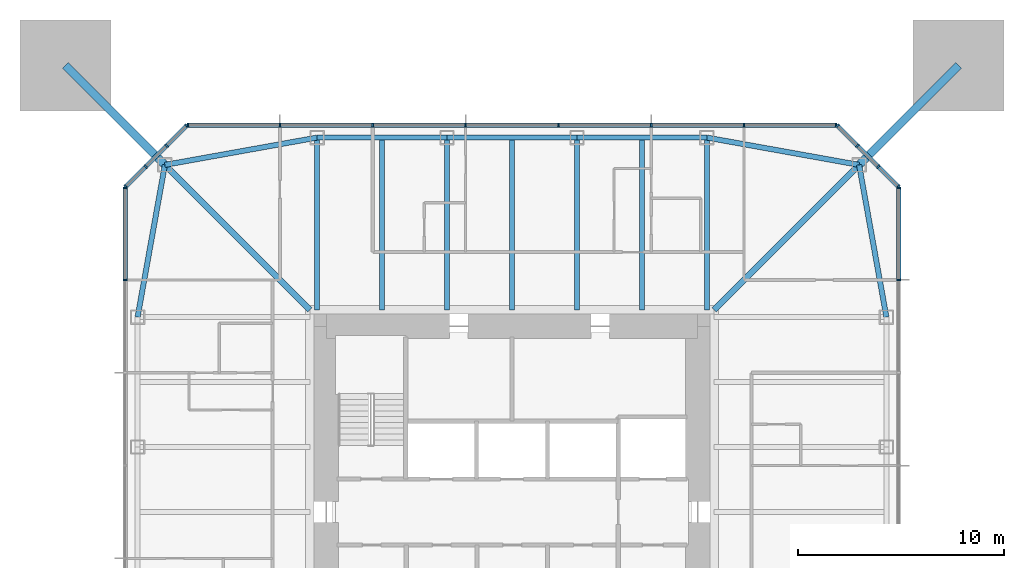
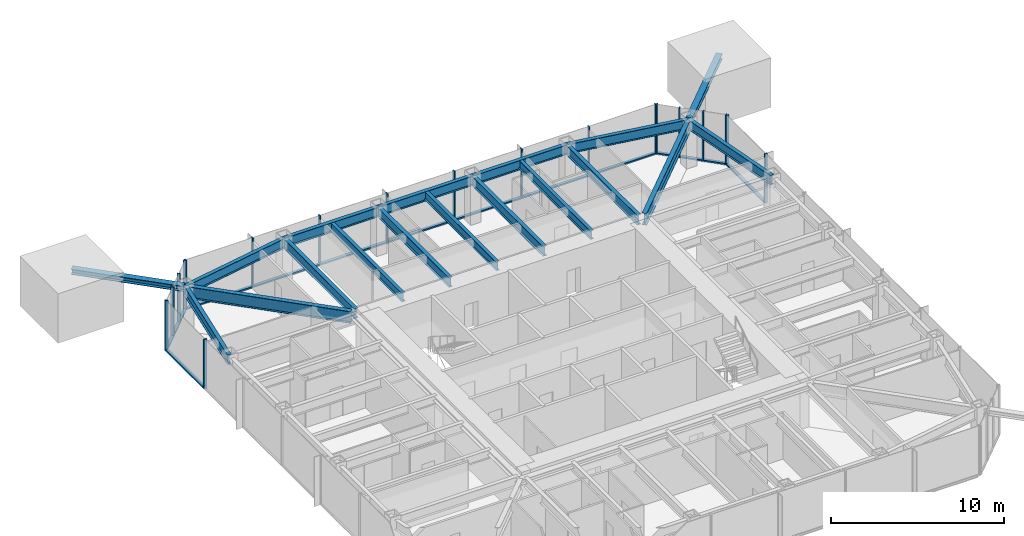
# One storey, part 4 of 11: 37 members, 16 beams, 5 elements without a shape of their own.
"""IFC4 building model written with IfcOpenShell, lengths in metres."""

from ifc_helpers import new_model, si_unit, direction, frame, origin, origin_2d, place, context, subcontext, project, spatial, rectangle, i_section, extrude, material, material_profile, profile_set, type_object, element, aggregate, save


model = new_model("IFC4")

# Units and contexts
model_context = context("Model", 3, precision=1e-05, world=origin(), true_north=direction((0.0, 1.0)))
body_context = subcontext(model_context, "Body", "Model", "MODEL_VIEW")
ifc_project = project(units=[si_unit("LENGTHUNIT", "METRE"), si_unit("AREAUNIT", "SQUARE_METRE"), si_unit("VOLUMEUNIT", "CUBIC_METRE"), si_unit("PLANEANGLEUNIT", "RADIAN"), si_unit("MASSUNIT", "GRAM", prefix="KILO")], contexts=[model_context])

# Site, building, storey
site_placement = place(None, origin())
site = spatial("IfcSite", under=ifc_project, at=site_placement, CompositionType="ELEMENT")
building_placement = place(site_placement, origin())
building = spatial("IfcBuilding", under=site, at=building_placement, Name="Iwan Alto Co-Living Towers", CompositionType="ELEMENT")
storey_placement = place(building_placement, frame((0.0, 0.0, 181.0)))
storey = spatial("IfcBuildingStorey", under=building, at=storey_placement, Name="L49", CompositionType="ELEMENT", Elevation=181.0)

# Curtain wall, members
ifc_material_1 = material(Name="Bronze aluminium unitised frame", Category="aluminium")
curtain_wall_type_1 = type_object("IfcCurtainWallType", Name="CURTAIN WALL CW-A", PredefinedType="NOTDEFINED", material=ifc_material_1)
curtain_wall_1_placement = place(storey_placement, origin())
curtain_wall_1 = element("IfcCurtainWall", 1, at=curtain_wall_1_placement, inside=storey, type_object=curtain_wall_type_1, Name="T1 curtain wall E L49", PredefinedType="NOTDEFINED")
ifc_material_2 = material(Name="Aluminium 6063-T6 bronze anodised", Category="aluminium")
ifc_material_profile_1 = material_profile(ifc_material_2, rectangle(XDim=0.199951171875, YDim=0.080078125, at=origin_2d()), Name="AL 80X200")
ifc_profile_set_1 = profile_set([ifc_material_profile_1], Name="Aluminium 6063-T6 bronze anodised")
member_type_1 = type_object("IfcMemberType", Name="CW-A MULLION 80X200", PredefinedType="MULLION", material=ifc_profile_set_1)
member_1_placement = place(storey_placement, frame((18.75, 11.25, 0.0), z_axis=(0.0, 0.0, 1.0), x_axis=(-1.0, 0.0, 0.0)))
member_1 = element("IfcMember", 2, at=member_1_placement, type_object=member_type_1, Name="CW-A mullion 7", PredefinedType="MULLION", context=body_context, shape_type="SweptSolid", body=[
    extrude(rectangle(XDim=0.199951171875, YDim=0.080078125, at=origin_2d()), origin(), (0.0, 0.0, 1.0), 3.5),
])
member_2_placement = place(storey_placement, frame((18.75, 15.7099609375, 0.0), z_axis=(0.0, 0.0, 1.0), x_axis=(-1.0, 0.0, 0.0)))
member_2 = element("IfcMember", 3, at=member_2_placement, type_object=member_type_1, Name="CW-A mullion 8", PredefinedType="MULLION", context=body_context, shape_type="SweptSolid", body=[
    extrude(rectangle(XDim=0.199951171875, YDim=0.080078125, at=origin_2d()), origin(), (0.0, 0.0, 1.0), 3.5),
])

curtain_wall_2_placement = place(storey_placement, origin())
curtain_wall_2 = element("IfcCurtainWall", 4, at=curtain_wall_2_placement, inside=storey, type_object=curtain_wall_type_1, Name="T1 curtain wall N L49", PredefinedType="NOTDEFINED")
member_3_placement = place(storey_placement, frame((15.7099609375, 18.75, 0.0), z_axis=(0.0, 0.0, 1.0), x_axis=(0.0, -1.0, 0.0)))
member_3 = element("IfcMember", 5, at=member_3_placement, type_object=member_type_1, Name="CW-A mullion 1", PredefinedType="MULLION", context=body_context, shape_type="SweptSolid", body=[
    extrude(rectangle(XDim=0.199951171875, YDim=0.080078125, at=origin_2d()), origin(), (0.0, 0.0, 1.0), 3.5),
])
member_4_placement = place(storey_placement, frame((11.25, 18.75, 0.0), z_axis=(0.0, 0.0, 1.0), x_axis=(0.0, -1.0, 0.0)))
member_4 = element("IfcMember", 6, at=member_4_placement, type_object=member_type_1, Name="CW-A mullion 2", PredefinedType="MULLION", context=body_context, shape_type="SweptSolid", body=[
    extrude(rectangle(XDim=0.199951171875, YDim=0.080078125, at=origin_2d()), origin(), (0.0, 0.0, 1.0), 3.5),
])
member_5_placement = place(storey_placement, frame((6.75, 18.75, 0.0), z_axis=(0.0, 0.0, 1.0), x_axis=(0.0, -1.0, 0.0)))
member_5 = element("IfcMember", 7, at=member_5_placement, type_object=member_type_1, Name="CW-A mullion 3", PredefinedType="MULLION", context=body_context, shape_type="SweptSolid", body=[
    extrude(rectangle(XDim=0.199951171875, YDim=0.080078125, at=origin_2d()), origin(), (0.0, 0.0, 1.0), 3.5),
])
member_6_placement = place(storey_placement, frame((2.25, 18.75, 0.0), z_axis=(0.0, 0.0, 1.0), x_axis=(0.0, -1.0, 0.0)))
member_6 = element("IfcMember", 8, at=member_6_placement, type_object=member_type_1, Name="CW-A mullion 4", PredefinedType="MULLION", context=body_context, shape_type="SweptSolid", body=[
    extrude(rectangle(XDim=0.199951171875, YDim=0.080078125, at=origin_2d()), origin(), (0.0, 0.0, 1.0), 3.5),
])
member_7_placement = place(storey_placement, frame((-2.25, 18.75, 0.0), z_axis=(0.0, 0.0, 1.0), x_axis=(0.0, -1.0, 0.0)))
member_7 = element("IfcMember", 9, at=member_7_placement, type_object=member_type_1, Name="CW-A mullion 5", PredefinedType="MULLION", context=body_context, shape_type="SweptSolid", body=[
    extrude(rectangle(XDim=0.199951171875, YDim=0.080078125, at=origin_2d()), origin(), (0.0, 0.0, 1.0), 3.5),
])
member_8_placement = place(storey_placement, frame((-6.75, 18.75, 0.0), z_axis=(0.0, 0.0, 1.0), x_axis=(0.0, -1.0, 0.0)))
member_8 = element("IfcMember", 10, at=member_8_placement, type_object=member_type_1, Name="CW-A mullion 6", PredefinedType="MULLION", context=body_context, shape_type="SweptSolid", body=[
    extrude(rectangle(XDim=0.199951171875, YDim=0.080078125, at=origin_2d()), origin(), (0.0, 0.0, 1.0), 3.5),
])
member_9_placement = place(storey_placement, frame((-11.25, 18.75, 0.0), z_axis=(0.0, 0.0, 1.0), x_axis=(0.0, -1.0, 0.0)))
member_9 = element("IfcMember", 11, at=member_9_placement, type_object=member_type_1, Name="CW-A mullion 7", PredefinedType="MULLION", context=body_context, shape_type="SweptSolid", body=[
    extrude(rectangle(XDim=0.199951171875, YDim=0.080078125, at=origin_2d()), origin(), (0.0, 0.0, 1.0), 3.5),
])
member_10_placement = place(storey_placement, frame((-15.7099609375, 18.75, 0.0), z_axis=(0.0, 0.0, 1.0), x_axis=(0.0, -1.0, 0.0)))
member_10 = element("IfcMember", 12, at=member_10_placement, type_object=member_type_1, Name="CW-A mullion 8", PredefinedType="MULLION", context=body_context, shape_type="SweptSolid", body=[
    extrude(rectangle(XDim=0.199951171875, YDim=0.080078125, at=origin_2d()), origin(), (0.0, 0.0, 1.0), 3.5),
])

curtain_wall_3_placement = place(storey_placement, origin())
curtain_wall_3 = element("IfcCurtainWall", 13, at=curtain_wall_3_placement, inside=storey, type_object=curtain_wall_type_1, Name="T1 curtain wall W L49", PredefinedType="NOTDEFINED")
member_11_placement = place(storey_placement, frame((-18.75, 15.7099609375, 0.0), z_axis=(0.0, 0.0, 1.0), x_axis=(1.0, 0.0, 0.0)))
member_11 = element("IfcMember", 14, at=member_11_placement, type_object=member_type_1, Name="CW-A mullion 1", PredefinedType="MULLION", context=body_context, shape_type="SweptSolid", body=[
    extrude(rectangle(XDim=0.199951171875, YDim=0.080078125, at=origin_2d()), origin(), (0.0, 0.0, 1.0), 3.5),
])
member_12_placement = place(storey_placement, frame((-18.75, 11.25, 0.0), z_axis=(0.0, 0.0, 1.0), x_axis=(1.0, 0.0, 0.0)))
member_12 = element("IfcMember", 15, at=member_12_placement, type_object=member_type_1, Name="CW-A mullion 2", PredefinedType="MULLION", context=body_context, shape_type="SweptSolid", body=[
    extrude(rectangle(XDim=0.199951171875, YDim=0.080078125, at=origin_2d()), origin(), (0.0, 0.0, 1.0), 3.5),
])

# Member
ifc_material_3 = material(Name="Aluminium 6063-T6 bronze anodised", Category="aluminium")
ifc_material_profile_2 = material_profile(ifc_material_3, rectangle(XDim=0.199951171875, YDim=0.10009765625, at=origin_2d()), Name="AL 200X100")
ifc_profile_set_2 = profile_set([ifc_material_profile_2], Name="Aluminium 6063-T6 bronze anodised")
member_type_2 = type_object("IfcMemberType", Name="CW-A TRANSOM 200X100", PredefinedType="USERDEFINED", material=ifc_profile_set_2)
member_13_placement = place(storey_placement, frame((18.75, 11.2900390625, 0.050048828125), z_axis=(0.0, 1.0, 0.0), x_axis=(-1.0, 0.0, 0.0)))
member_13 = element("IfcMember", 16, at=member_13_placement, type_object=member_type_2, Name="CW-A transom 7.1", ObjectType="TRANSOM", PredefinedType="USERDEFINED", context=body_context, shape_type="SweptSolid", body=[
    extrude(rectangle(XDim=0.199951171875, YDim=0.10009765625, at=origin_2d()), origin(), (0.0, 0.0, 1.0), 4.3798828125),
])

aggregate(curtain_wall_1, [member_1, member_2, member_13])

member_14_placement = place(storey_placement, frame((15.669921875, 18.75, 0.050048828125), z_axis=(-1.0, 0.0, 0.0), x_axis=(0.0, -1.0, 0.0)))
member_14 = element("IfcMember", 17, at=member_14_placement, type_object=member_type_2, Name="CW-A transom 1.1", ObjectType="TRANSOM", PredefinedType="USERDEFINED", context=body_context, shape_type="SweptSolid", body=[
    extrude(rectangle(XDim=0.199951171875, YDim=0.10009765625, at=origin_2d()), origin(), (0.0, 0.0, 1.0), 4.3798828125),
])

member_15_placement = place(storey_placement, frame((11.2099609375, 18.75, 0.050048828125), z_axis=(-1.0, 0.0, 0.0), x_axis=(0.0, -1.0, 0.0)))
member_15 = element("IfcMember", 18, at=member_15_placement, type_object=member_type_2, Name="CW-A transom 2.1", ObjectType="TRANSOM", PredefinedType="USERDEFINED", context=body_context, shape_type="SweptSolid", body=[
    extrude(rectangle(XDim=0.199951171875, YDim=0.10009765625, at=origin_2d()), origin(), (0.0, 0.0, 1.0), 4.419921875),
])

member_16_placement = place(storey_placement, frame((6.7099609375, 18.75, 0.050048828125), z_axis=(-1.0, 0.0, 0.0), x_axis=(0.0, -1.0, 0.0)))
member_16 = element("IfcMember", 19, at=member_16_placement, type_object=member_type_2, Name="CW-A transom 3.1", ObjectType="TRANSOM", PredefinedType="USERDEFINED", context=body_context, shape_type="SweptSolid", body=[
    extrude(rectangle(XDim=0.199951171875, YDim=0.10009765625, at=origin_2d()), origin(), (0.0, 0.0, 1.0), 4.419921875),
])

member_17_placement = place(storey_placement, frame((2.2099609375, 18.75, 0.050048828125), z_axis=(-1.0, 0.0, 0.0), x_axis=(0.0, -1.0, 0.0)))
member_17 = element("IfcMember", 20, at=member_17_placement, type_object=member_type_2, Name="CW-A transom 4.1", ObjectType="TRANSOM", PredefinedType="USERDEFINED", context=body_context, shape_type="SweptSolid", body=[
    extrude(rectangle(XDim=0.199951171875, YDim=0.10009765625, at=origin_2d()), origin(), (0.0, 0.0, 1.0), 4.419921875),
])

member_18_placement = place(storey_placement, frame((-2.2900390625, 18.75, 0.050048828125), z_axis=(-1.0, 0.0, 0.0), x_axis=(0.0, -1.0, 0.0)))
member_18 = element("IfcMember", 21, at=member_18_placement, type_object=member_type_2, Name="CW-A transom 5.1", ObjectType="TRANSOM", PredefinedType="USERDEFINED", context=body_context, shape_type="SweptSolid", body=[
    extrude(rectangle(XDim=0.199951171875, YDim=0.10009765625, at=origin_2d()), origin(), (0.0, 0.0, 1.0), 4.419921875),
])

member_19_placement = place(storey_placement, frame((-6.7900390625, 18.75, 0.050048828125), z_axis=(-1.0, 0.0, 0.0), x_axis=(0.0, -1.0, 0.0)))
member_19 = element("IfcMember", 22, at=member_19_placement, type_object=member_type_2, Name="CW-A transom 6.1", ObjectType="TRANSOM", PredefinedType="USERDEFINED", context=body_context, shape_type="SweptSolid", body=[
    extrude(rectangle(XDim=0.199951171875, YDim=0.10009765625, at=origin_2d()), origin(), (0.0, 0.0, 1.0), 4.419921875),
])

member_20_placement = place(storey_placement, frame((-11.2900390625, 18.75, 0.050048828125), z_axis=(-1.0, 0.0, 0.0), x_axis=(0.0, -1.0, 0.0)))
member_20 = element("IfcMember", 23, at=member_20_placement, type_object=member_type_2, Name="CW-A transom 7.1", ObjectType="TRANSOM", PredefinedType="USERDEFINED", context=body_context, shape_type="SweptSolid", body=[
    extrude(rectangle(XDim=0.199951171875, YDim=0.10009765625, at=origin_2d()), origin(), (0.0, 0.0, 1.0), 4.3798828125),
])

aggregate(curtain_wall_2, [member_3, member_4, member_5, member_6, member_7, member_8, member_9, member_10, member_14, member_15, member_16, member_17, member_18, member_19, member_20])

member_21_placement = place(storey_placement, frame((-18.75, 15.669921875, 0.050048828125), z_axis=(0.0, -1.0, 0.0), x_axis=(1.0, 0.0, 0.0)))
member_21 = element("IfcMember", 24, at=member_21_placement, type_object=member_type_2, Name="CW-A transom 1.1", ObjectType="TRANSOM", PredefinedType="USERDEFINED", context=body_context, shape_type="SweptSolid", body=[
    extrude(rectangle(XDim=0.199951171875, YDim=0.10009765625, at=origin_2d()), origin(), (0.0, 0.0, 1.0), 4.3798828125),
])

aggregate(curtain_wall_3, [member_11, member_12, member_21])

# Curtain wall, members
ifc_material_4 = material(Name="Bronze aluminium unitised frame", Category="aluminium")
curtain_wall_type_2 = type_object("IfcCurtainWallType", Name="CURTAIN WALL CW-B", PredefinedType="NOTDEFINED", material=ifc_material_4)
curtain_wall_4_placement = place(storey_placement, origin())
curtain_wall_4 = element("IfcCurtainWall", 25, at=curtain_wall_4_placement, inside=storey, type_object=curtain_wall_type_2, Name="T1 chamfer curtain wall NE L49", PredefinedType="NOTDEFINED")
ifc_material_5 = material(Name="Aluminium 6063-T6 bronze anodised", Category="aluminium")
ifc_material_profile_3 = material_profile(ifc_material_5, rectangle(XDim=0.199951171875, YDim=0.080078125, at=origin_2d()), Name="AL 80X200")
ifc_profile_set_3 = profile_set([ifc_material_profile_3], Name="Aluminium 6063-T6 bronze anodised")
member_type_3 = type_object("IfcMemberType", Name="CW-B MULLION 80X200", PredefinedType="MULLION", material=ifc_profile_set_3)
member_22_placement = place(storey_placement, frame((18.7216796875, 15.7783203125, 0.0), z_axis=(0.0, 0.0, 1.0), x_axis=(-0.707106781187, -0.707106781187, 0.0)))
member_22 = element("IfcMember", 26, at=member_22_placement, type_object=member_type_3, Name="CW-B mullion 1", PredefinedType="MULLION", context=body_context, shape_type="SweptSolid", body=[
    extrude(rectangle(XDim=0.199951171875, YDim=0.080078125, at=origin_2d()), origin(), (0.0, 0.0, 1.0), 3.5),
])
member_23_placement = place(storey_placement, frame((17.75, 16.75, 0.0), z_axis=(0.0, 0.0, 1.0), x_axis=(-0.707106781187, -0.707106781187, 0.0)))
member_23 = element("IfcMember", 27, at=member_23_placement, type_object=member_type_3, Name="CW-B mullion 2", PredefinedType="MULLION", context=body_context, shape_type="SweptSolid", body=[
    extrude(rectangle(XDim=0.199951171875, YDim=0.080078125, at=origin_2d()), origin(), (0.0, 0.0, 1.0), 3.5),
])
member_24_placement = place(storey_placement, frame((16.75, 17.75, 0.0), z_axis=(0.0, 0.0, 1.0), x_axis=(-0.707106781187, -0.707106781187, 0.0)))
member_24 = element("IfcMember", 28, at=member_24_placement, type_object=member_type_3, Name="CW-B mullion 3", PredefinedType="MULLION", context=body_context, shape_type="SweptSolid", body=[
    extrude(rectangle(XDim=0.199951171875, YDim=0.080078125, at=origin_2d()), origin(), (0.0, 0.0, 1.0), 3.5),
])
member_25_placement = place(storey_placement, frame((15.7783203125, 18.7216796875, 0.0), z_axis=(0.0, 0.0, 1.0), x_axis=(-0.707106781187, -0.707106781187, 0.0)))
member_25 = element("IfcMember", 29, at=member_25_placement, type_object=member_type_3, Name="CW-B mullion 4", PredefinedType="MULLION", context=body_context, shape_type="SweptSolid", body=[
    extrude(rectangle(XDim=0.199951171875, YDim=0.080078125, at=origin_2d()), origin(), (0.0, 0.0, 1.0), 3.5),
])

curtain_wall_5_placement = place(storey_placement, origin())
curtain_wall_5 = element("IfcCurtainWall", 30, at=curtain_wall_5_placement, inside=storey, type_object=curtain_wall_type_2, Name="T1 chamfer curtain wall NW L49", PredefinedType="NOTDEFINED")
member_26_placement = place(storey_placement, frame((-15.7783203125, 18.7216796875, 0.0), z_axis=(0.0, 0.0, 1.0), x_axis=(0.707106781187, -0.707106781187, 0.0)))
member_26 = element("IfcMember", 31, at=member_26_placement, type_object=member_type_3, Name="CW-B mullion 1", PredefinedType="MULLION", context=body_context, shape_type="SweptSolid", body=[
    extrude(rectangle(XDim=0.199951171875, YDim=0.080078125, at=origin_2d()), origin(), (0.0, 0.0, 1.0), 3.5),
])
member_27_placement = place(storey_placement, frame((-16.75, 17.75, 0.0), z_axis=(0.0, 0.0, 1.0), x_axis=(0.707106781187, -0.707106781187, 0.0)))
member_27 = element("IfcMember", 32, at=member_27_placement, type_object=member_type_3, Name="CW-B mullion 2", PredefinedType="MULLION", context=body_context, shape_type="SweptSolid", body=[
    extrude(rectangle(XDim=0.199951171875, YDim=0.080078125, at=origin_2d()), origin(), (0.0, 0.0, 1.0), 3.5),
])
member_28_placement = place(storey_placement, frame((-17.75, 16.75, 0.0), z_axis=(0.0, 0.0, 1.0), x_axis=(0.707106781187, -0.707106781187, 0.0)))
member_28 = element("IfcMember", 33, at=member_28_placement, type_object=member_type_3, Name="CW-B mullion 3", PredefinedType="MULLION", context=body_context, shape_type="SweptSolid", body=[
    extrude(rectangle(XDim=0.199951171875, YDim=0.080078125, at=origin_2d()), origin(), (0.0, 0.0, 1.0), 3.5),
])
member_29_placement = place(storey_placement, frame((-18.7216796875, 15.7783203125, 0.0), z_axis=(0.0, 0.0, 1.0), x_axis=(0.707106781187, -0.707106781187, 0.0)))
member_29 = element("IfcMember", 34, at=member_29_placement, type_object=member_type_3, Name="CW-B mullion 4", PredefinedType="MULLION", context=body_context, shape_type="SweptSolid", body=[
    extrude(rectangle(XDim=0.199951171875, YDim=0.080078125, at=origin_2d()), origin(), (0.0, 0.0, 1.0), 3.5),
])

# Member
ifc_material_6 = material(Name="Aluminium 6063-T6 bronze anodised", Category="aluminium")
ifc_material_profile_4 = material_profile(ifc_material_6, rectangle(XDim=0.199951171875, YDim=0.10009765625, at=origin_2d()), Name="AL 200X100")
ifc_profile_set_4 = profile_set([ifc_material_profile_4], Name="Aluminium 6063-T6 bronze anodised")
member_type_4 = type_object("IfcMemberType", Name="CW-B TRANSOM 200X100", PredefinedType="USERDEFINED", material=ifc_profile_set_4)
member_30_placement = place(storey_placement, frame((18.693359375, 15.806640625, 0.050048828125), z_axis=(-0.707106781187, 0.707106781187, 0.0), x_axis=(-0.707106781187, -0.707106781187, 0.0)))
member_30 = element("IfcMember", 35, at=member_30_placement, type_object=member_type_4, Name="CW-B transom 1.1", ObjectType="TRANSOM", PredefinedType="USERDEFINED", context=body_context, shape_type="SweptSolid", body=[
    extrude(rectangle(XDim=0.199951171875, YDim=0.10009765625, at=origin_2d()), origin(), (0.0, 0.0, 1.0), 1.2939453125),
])

member_31_placement = place(storey_placement, frame((17.7216796875, 16.7783203125, 0.050048828125), z_axis=(-0.707106781187, 0.707106781187, 0.0), x_axis=(-0.707106781187, -0.707106781187, 0.0)))
member_31 = element("IfcMember", 36, at=member_31_placement, type_object=member_type_4, Name="CW-B transom 2.1", ObjectType="TRANSOM", PredefinedType="USERDEFINED", context=body_context, shape_type="SweptSolid", body=[
    extrude(rectangle(XDim=0.199951171875, YDim=0.10009765625, at=origin_2d()), origin(), (0.0, 0.0, 1.0), 1.334228515625),
])

member_32_placement = place(storey_placement, frame((16.7216796875, 17.7783203125, 0.050048828125), z_axis=(-0.707106781187, 0.707106781187, 0.0), x_axis=(-0.707106781187, -0.707106781187, 0.0)))
member_32 = element("IfcMember", 37, at=member_32_placement, type_object=member_type_4, Name="CW-B transom 3.1", ObjectType="TRANSOM", PredefinedType="USERDEFINED", context=body_context, shape_type="SweptSolid", body=[
    extrude(rectangle(XDim=0.199951171875, YDim=0.10009765625, at=origin_2d()), origin(), (0.0, 0.0, 1.0), 1.2939453125),
])

aggregate(curtain_wall_4, [member_22, member_23, member_24, member_25, member_30, member_31, member_32])

member_33_placement = place(storey_placement, frame((-15.806640625, 18.693359375, 0.050048828125), z_axis=(-0.707106781187, -0.707106781187, 0.0), x_axis=(0.707106781187, -0.707106781187, 0.0)))
member_33 = element("IfcMember", 38, at=member_33_placement, type_object=member_type_4, Name="CW-B transom 1.1", ObjectType="TRANSOM", PredefinedType="USERDEFINED", context=body_context, shape_type="SweptSolid", body=[
    extrude(rectangle(XDim=0.199951171875, YDim=0.10009765625, at=origin_2d()), origin(), (0.0, 0.0, 1.0), 1.2939453125),
])

member_34_placement = place(storey_placement, frame((-16.7783203125, 17.7216796875, 0.050048828125), z_axis=(-0.707106781187, -0.707106781187, 0.0), x_axis=(0.707106781187, -0.707106781187, 0.0)))
member_34 = element("IfcMember", 39, at=member_34_placement, type_object=member_type_4, Name="CW-B transom 2.1", ObjectType="TRANSOM", PredefinedType="USERDEFINED", context=body_context, shape_type="SweptSolid", body=[
    extrude(rectangle(XDim=0.199951171875, YDim=0.10009765625, at=origin_2d()), origin(), (0.0, 0.0, 1.0), 1.334228515625),
])

member_35_placement = place(storey_placement, frame((-17.7783203125, 16.7216796875, 0.050048828125), z_axis=(-0.707106781187, -0.707106781187, 0.0), x_axis=(0.707106781187, -0.707106781187, 0.0)))
member_35 = element("IfcMember", 40, at=member_35_placement, type_object=member_type_4, Name="CW-B transom 3.1", ObjectType="TRANSOM", PredefinedType="USERDEFINED", context=body_context, shape_type="SweptSolid", body=[
    extrude(rectangle(XDim=0.199951171875, YDim=0.10009765625, at=origin_2d()), origin(), (0.0, 0.0, 1.0), 1.2939453125),
])

aggregate(curtain_wall_5, [member_26, member_27, member_28, member_29, member_33, member_34, member_35])

# Beams
ifc_material_7 = material(Name="Steel ASTM A992 Gr 50", Category="steel")
ifc_material_profile_5 = material_profile(ifc_material_7, i_section(OverallWidth=0.2919921875, OverallDepth=0.8408203125, WebThickness=0.0146484375, FlangeThickness=0.021728515625, at=origin_2d()), Name="W33X130")
ifc_profile_set_5 = profile_set([ifc_material_profile_5], Name="Steel ASTM A992 Gr 50")
beam_type_1 = type_object("IfcBeamType", Name="T1 CORNER GIRDER W33X130", PredefinedType="BEAM", material=ifc_profile_set_5)
for number, where, z_axis, x_axis, name in (
    (41, (16.82568359375, 16.82568359375, 2.849609375), (-0.707106781187, -0.707106781187, 0.0), (0.707106781187, -0.707106781187, 0.0), "T1 corner girder CNE L50"),
    (42, (-16.82568359375, 16.82568359375, 2.849609375), (0.707106781187, -0.707106781187, 0.0), (0.707106781187, 0.707106781187, 0.0), "T1 corner girder CNW L50"),
):
    element("IfcBeam", number, at=place(storey_placement, frame(where, z_axis=z_axis, x_axis=x_axis)), inside=storey, type_object=beam_type_1, Name=name, PredefinedType="BEAM", context=body_context, shape_type="SweptSolid", body=[
        extrude(i_section(OverallWidth=0.2919921875, OverallDepth=0.8408203125, WebThickness=0.0146484375, FlangeThickness=0.021728515625, at=origin_2d()), origin(), (0.0, 0.0, 1.0), 9.936767578125),
    ])
ifc_material_8 = material(Name="Steel ASTM A992 Gr 50", Category="steel")
ifc_material_profile_6 = material_profile(ifc_material_8, i_section(OverallWidth=0.25390625, OverallDepth=0.683349609375, WebThickness=0.012451171875, FlangeThickness=0.018798828125, at=origin_2d()), Name="W27X94")
ifc_profile_set_6 = profile_set([ifc_material_profile_6], Name="Steel ASTM A992 Gr 50")
beam_type_2 = type_object("IfcBeamType", Name="T1 EDGE BEAM W27X94", PredefinedType="BEAM", material=ifc_profile_set_6)
for number, where, z_axis, x_axis, name in (
    (43, (18.14990234375, 9.449951171875, 2.928466796875), (-0.17671181143, 0.98426263553, 0.0), (-0.98426263553, -0.17671181143, 0.0), "T1 edge beam E4 L50"),
    (44, (16.82568359375, 16.82568359375, 2.928466796875), (-0.98426263553, 0.17671181143, 0.0), (-0.17671181143, -0.98426263553, 0.0), "T1 edge beam CNE L50"),
):
    element("IfcBeam", number, at=place(storey_placement, frame(where, z_axis=z_axis, x_axis=x_axis)), inside=storey, type_object=beam_type_2, Name=name, PredefinedType="BEAM", context=body_context, shape_type="SweptSolid", body=[
        extrude(i_section(OverallWidth=0.25390625, OverallDepth=0.683349609375, WebThickness=0.012451171875, FlangeThickness=0.018798828125, at=origin_2d()), origin(), (0.0, 0.0, 1.0), 7.49365234375),
    ])
beam_1_placement = place(storey_placement, frame((9.449951171875, 18.14990234375, 2.928466796875), z_axis=(-1.0, 0.0, 0.0), x_axis=(0.0, -1.0, 0.0)))
element("IfcBeam", 45, at=beam_1_placement, inside=storey, type_object=beam_type_2, Name="T1 edge beam N1 L50", PredefinedType="BEAM", context=body_context, shape_type="SweptSolid", body=[
    extrude(i_section(OverallWidth=0.25390625, OverallDepth=0.683349609375, WebThickness=0.012451171875, FlangeThickness=0.018798828125, at=origin_2d()), origin(), (0.0, 0.0, 1.0), 6.300048828125),
])
beam_2_placement = place(storey_placement, frame((3.14990234375, 18.14990234375, 2.928466796875), z_axis=(-1.0, 0.0, 0.0), x_axis=(0.0, -1.0, 0.0)))
element("IfcBeam", 46, at=beam_2_placement, inside=storey, type_object=beam_type_2, Name="T1 edge beam N2 L50", PredefinedType="BEAM", context=body_context, shape_type="SweptSolid", body=[
    extrude(i_section(OverallWidth=0.25390625, OverallDepth=0.683349609375, WebThickness=0.012451171875, FlangeThickness=0.018798828125, at=origin_2d()), origin(), (0.0, 0.0, 1.0), 6.2998046875),
])
beam_3_placement = place(storey_placement, frame((-3.14990234375, 18.14990234375, 2.928466796875), z_axis=(-1.0, 0.0, 0.0), x_axis=(0.0, -1.0, 0.0)))
element("IfcBeam", 47, at=beam_3_placement, inside=storey, type_object=beam_type_2, Name="T1 edge beam N3 L50", PredefinedType="BEAM", context=body_context, shape_type="SweptSolid", body=[
    extrude(i_section(OverallWidth=0.25390625, OverallDepth=0.683349609375, WebThickness=0.012451171875, FlangeThickness=0.018798828125, at=origin_2d()), origin(), (0.0, 0.0, 1.0), 6.300048828125),
])
for number, where, z_axis, x_axis, name in (
    (48, (-9.449951171875, 18.14990234375, 2.928466796875), (-0.98426263553, -0.17671181143, 0.0), (0.17671181143, -0.98426263553, 0.0), "T1 edge beam N4 L50"),
    (49, (-16.82568359375, 16.82568359375, 2.928466796875), (-0.17671181143, -0.98426263553, 0.0), (0.98426263553, -0.17671181143, 0.0), "T1 edge beam CNW L50"),
):
    element("IfcBeam", number, at=place(storey_placement, frame(where, z_axis=z_axis, x_axis=x_axis)), inside=storey, type_object=beam_type_2, Name=name, PredefinedType="BEAM", context=body_context, shape_type="SweptSolid", body=[
        extrude(i_section(OverallWidth=0.25390625, OverallDepth=0.683349609375, WebThickness=0.012451171875, FlangeThickness=0.018798828125, at=origin_2d()), origin(), (0.0, 0.0, 1.0), 7.49365234375),
    ])

# Members
ifc_material_9 = material(Name="Steel ASTM A992 Gr 50", Category="steel")
ifc_material_profile_7 = material_profile(ifc_material_9, i_section(OverallWidth=0.393798828125, OverallDepth=0.3759765625, WebThickness=0.017333984375, FlangeThickness=0.027587890625, at=origin_2d()), Name="W14X145")
ifc_profile_set_7 = profile_set([ifc_material_profile_7], Name="Steel ASTM A992 Gr 50")
member_type_5 = type_object("IfcMemberType", Name="T1 MEGA COLUMN FLOOR TIE W14X145", PredefinedType="STRUT", material=ifc_profile_set_7)
for number, where, z_axis, x_axis, name in (
    (50, (21.64990234375, 21.64990234375, 3.08203125), (-0.707106781187, -0.707106781187, 0.0), (0.707106781187, -0.707106781187, 0.0), "T1 mega column floor tie NE L50"),
    (51, (-21.64990234375, 21.64990234375, 3.08203125), (0.707106781187, -0.707106781187, 0.0), (0.707106781187, 0.707106781187, 0.0), "T1 mega column floor tie NW L50"),
):
    element("IfcMember", number, at=place(storey_placement, frame(where, z_axis=z_axis, x_axis=x_axis)), inside=storey, type_object=member_type_5, Name=name, PredefinedType="STRUT", context=body_context, shape_type="SweptSolid", body=[
        extrude(i_section(OverallWidth=0.393798828125, OverallDepth=0.3759765625, WebThickness=0.017333984375, FlangeThickness=0.027587890625, at=origin_2d()), origin(), (0.0, 0.0, 1.0), 6.822509765625),
    ])

# Beams
ifc_material_10 = material(Name="Steel ASTM A992 Gr 50", Category="steel")
ifc_material_profile_8 = material_profile(ifc_material_10, i_section(OverallWidth=0.25390625, OverallDepth=0.683349609375, WebThickness=0.012451171875, FlangeThickness=0.018798828125, at=origin_2d()), Name="W27X94")
ifc_profile_set_8 = profile_set([ifc_material_profile_8], Name="Steel ASTM A992 Gr 50")
beam_type_3 = type_object("IfcBeamType", Name="T1 RADIAL BEAM W27X94", PredefinedType="BEAM", material=ifc_profile_set_8)
for number, where, z_axis, x_axis, name in (
    (52, (9.449951171875, 18.14990234375, 2.928466796875), (0.0, -1.0, 0.0), (1.0, 0.0, 0.0), "T1 radial beam N1 L50"),
    (53, (3.14990234375, 18.14990234375, 2.928466796875), (0.0, -1.0, 0.0), (1.0, 0.0, 0.0), "T1 radial beam N2 L50"),
    (54, (-3.14990234375, 18.14990234375, 2.928466796875), (0.0, -1.0, 0.0), (1.0, 0.0, 0.0), "T1 radial beam N3 L50"),
    (55, (-9.449951171875, 18.14990234375, 2.928466796875), (0.0, -1.0, 0.0), (1.0, 0.0, 0.0), "T1 radial beam N4 L50"),
):
    element("IfcBeam", number, at=place(storey_placement, frame(where, z_axis=z_axis, x_axis=x_axis)), inside=storey, type_object=beam_type_3, Name=name, PredefinedType="BEAM", context=body_context, shape_type="SweptSolid", body=[
        extrude(i_section(OverallWidth=0.25390625, OverallDepth=0.683349609375, WebThickness=0.012451171875, FlangeThickness=0.018798828125, at=origin_2d()), origin(), (0.0, 0.0, 1.0), 8.3505859375),
    ])
ifc_material_11 = material(Name="Steel ASTM A992 Gr 50", Category="steel")
ifc_material_profile_9 = material_profile(ifc_material_11, i_section(OverallWidth=0.228271484375, OverallDepth=0.607177734375, WebThickness=0.01123046875, FlangeThickness=0.017333984375, at=origin_2d()), Name="W24X76")
ifc_profile_set_9 = profile_set([ifc_material_profile_9], Name="Steel ASTM A992 Gr 50")
beam_type_4 = type_object("IfcBeamType", Name="T1 SECONDARY BEAM W24X76", PredefinedType="JOIST", material=ifc_profile_set_9)
for number, where, z_axis, x_axis, name in (
    (56, (6.300048828125, 18.14990234375, 2.966552734375), (0.0, -1.0, 0.0), (1.0, 0.0, 0.0), "T1 secondary beam N1 L50"),
    (57, (0.0, 18.14990234375, 2.966552734375), (0.0, -1.0, 0.0), (1.0, 0.0, 0.0), "T1 secondary beam N2 L50"),
    (58, (-6.300048828125, 18.14990234375, 2.966552734375), (0.0, -1.0, 0.0), (1.0, 0.0, 0.0), "T1 secondary beam N3 L50"),
):
    element("IfcBeam", number, at=place(storey_placement, frame(where, z_axis=z_axis, x_axis=x_axis)), inside=storey, type_object=beam_type_4, Name=name, PredefinedType="JOIST", context=body_context, shape_type="SweptSolid", body=[
        extrude(i_section(OverallWidth=0.228271484375, OverallDepth=0.607177734375, WebThickness=0.01123046875, FlangeThickness=0.017333984375, at=origin_2d()), origin(), (0.0, 0.0, 1.0), 8.3505859375),
    ])

save(model, "model.ifc")
